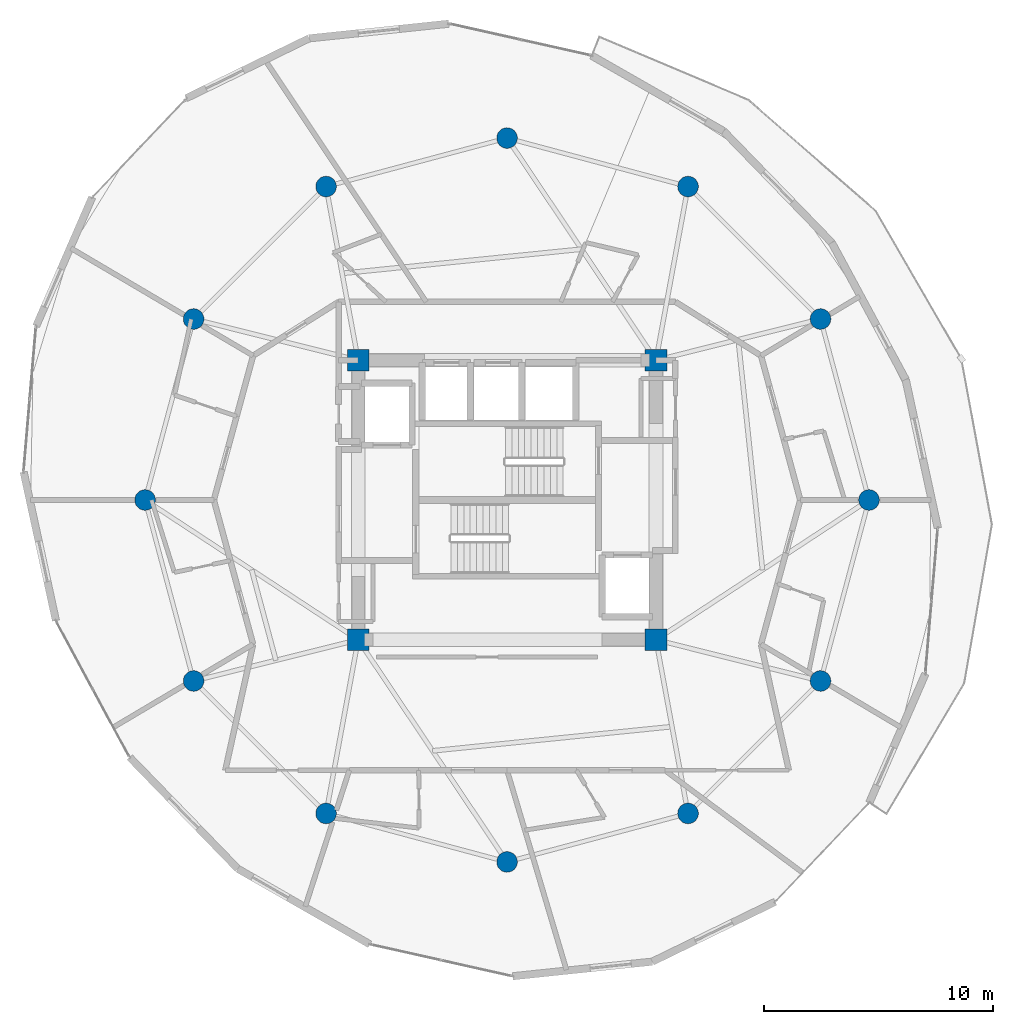
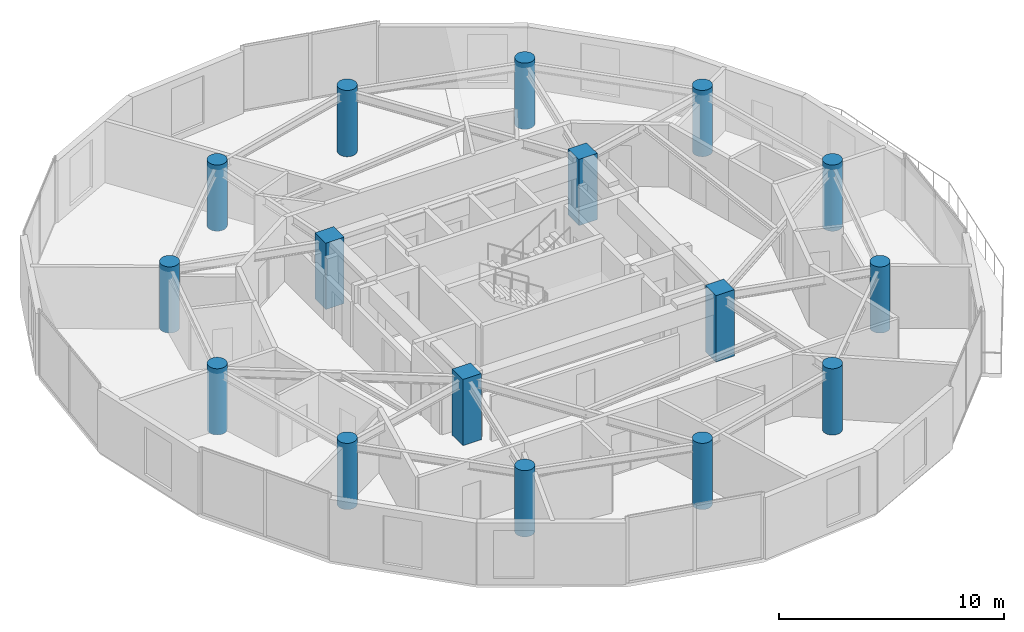
# One storey, part 1 of 23: 16 columns.
"""IFC4 building model written with IfcOpenShell, lengths in metres."""

from ifc_helpers import new_model, si_unit, direction, frame, origin, origin_2d, place, context, subcontext, project, spatial, rectangle, circle, extrude, material, material_profile, profile_set, type_object, element, save


model = new_model("IFC4")

# Units and contexts
model_context = context("Model", 3, precision=1e-05, world=origin(), true_north=direction((0.0, 1.0)))
body_context = subcontext(model_context, "Body", "Model", "MODEL_VIEW")
ifc_project = project(units=[si_unit("LENGTHUNIT", "METRE"), si_unit("AREAUNIT", "SQUARE_METRE"), si_unit("VOLUMEUNIT", "CUBIC_METRE"), si_unit("PLANEANGLEUNIT", "RADIAN"), si_unit("MASSUNIT", "GRAM", prefix="KILO")], contexts=[model_context])

# Site, building, storey
site_placement = place(None, origin())
site = spatial("IfcSite", under=ifc_project, at=site_placement, CompositionType="ELEMENT")
building_placement = place(site_placement, origin())
building = spatial("IfcBuilding", under=site, at=building_placement, Name="Solvirekh Grand Hotel", CompositionType="ELEMENT")
storey_placement = place(building_placement, frame((0.0, 0.0, 176.800048828125)))
storey = spatial("IfcBuildingStorey", under=building, at=storey_placement, Name="L45", CompositionType="ELEMENT", Elevation=176.800048828125)

# Columns
ifc_material = material(Name="Concrete C50/60", Category="concrete")
ifc_material_profile_1 = material_profile(ifc_material, rectangle(XDim=0.949951171875, YDim=0.949951171875, at=origin_2d()), Name="RC 950X950")
ifc_profile_set_1 = profile_set([ifc_material_profile_1], Name="Concrete C50/60")
column_type_1 = type_object("IfcColumnType", Name="Col_Core_950", PredefinedType="COLUMN", material=ifc_profile_set_1)
for number, where, z_axis, x_axis, name in (
    (1, (-6.5, -6.10009765625, 0.0), (0.0, 0.0, 1.0), (1.0, 0.0, 0.0), "L45 core corner column CC1"),
    (2, (6.5, -6.10009765625, 0.0), (0.0, 0.0, 1.0), (1.0, 0.0, 0.0), "L45 core corner column CC2"),
    (3, (6.5, 6.10009765625, 0.0), (0.0, 0.0, 1.0), (1.0, 0.0, 0.0), "L45 core corner column CC3"),
    (4, (-6.5, 6.10009765625, 0.0), (0.0, 0.0, 1.0), (1.0, 0.0, 0.0), "L45 core corner column CC4"),
):
    element("IfcColumn", number, at=place(storey_placement, frame(where, z_axis=z_axis, x_axis=x_axis)), inside=storey, type_object=column_type_1, Name=name, PredefinedType="COLUMN", context=body_context, shape_type="SweptSolid", body=[
        extrude(rectangle(XDim=0.949951171875, YDim=0.949951171875, at=origin_2d()), origin(), (0.0, 0.0, 1.0), 3.599853515625),
    ])
ifc_material_profile_2 = material_profile(ifc_material, circle(Radius=0.449951171875, at=origin_2d()), Name="RC CIRC D900")
ifc_profile_set_2 = profile_set([ifc_material_profile_2], Name="Concrete C50/60")
column_type_2 = type_object("IfcColumnType", Name="Col_Z3_D900", PredefinedType="COLUMN", material=ifc_profile_set_2)
for number, where, z_axis, x_axis, name in (
    (5, (15.800048828125, 0.0, 0.0), (0.0, 0.0, 1.0), (1.0, 0.0, 0.0), "L45 perimeter column P01"),
    (6, (13.68310546875, 7.89990234375, 0.0), (0.0, 0.0, 1.0), (1.0, 0.0, 0.0), "L45 perimeter column P02"),
    (7, (7.89990234375, 13.68310546875, 0.0), (0.0, 0.0, 1.0), (1.0, 0.0, 0.0), "L45 perimeter column P03"),
    (8, (0.0, 15.800048828125, 0.0), (0.0, 0.0, 1.0), (1.0, 0.0, 0.0), "L45 perimeter column P04"),
    (9, (-7.89990234375, 13.68310546875, 0.0), (0.0, 0.0, 1.0), (1.0, 0.0, 0.0), "L45 perimeter column P05"),
    (10, (-13.68310546875, 7.89990234375, 0.0), (0.0, 0.0, 1.0), (1.0, 0.0, 0.0), "L45 perimeter column P06"),
    (11, (-15.800048828125, 0.0, 0.0), (0.0, 0.0, 1.0), (1.0, 0.0, 0.0), "L45 perimeter column P07"),
    (12, (-13.68310546875, -7.89990234375, 0.0), (0.0, 0.0, 1.0), (1.0, 0.0, 0.0), "L45 perimeter column P08"),
    (13, (-7.89990234375, -13.68310546875, 0.0), (0.0, 0.0, 1.0), (1.0, 0.0, 0.0), "L45 perimeter column P09"),
    (14, (0.0, -15.800048828125, 0.0), (0.0, 0.0, 1.0), (1.0, 0.0, 0.0), "L45 perimeter column P10"),
    (15, (7.89990234375, -13.68310546875, 0.0), (0.0, 0.0, 1.0), (1.0, 0.0, 0.0), "L45 perimeter column P11"),
    (16, (13.68310546875, -7.89990234375, 0.0), (0.0, 0.0, 1.0), (1.0, 0.0, 0.0), "L45 perimeter column P12"),
):
    element("IfcColumn", number, at=place(storey_placement, frame(where, z_axis=z_axis, x_axis=x_axis)), inside=storey, type_object=column_type_2, Name=name, PredefinedType="COLUMN", context=body_context, shape_type="SweptSolid", body=[
        extrude(circle(Radius=0.449951171875, at=origin_2d()), origin(), (0.0, 0.0, 1.0), 3.599853515625),
    ])

save(model, "model.ifc")
